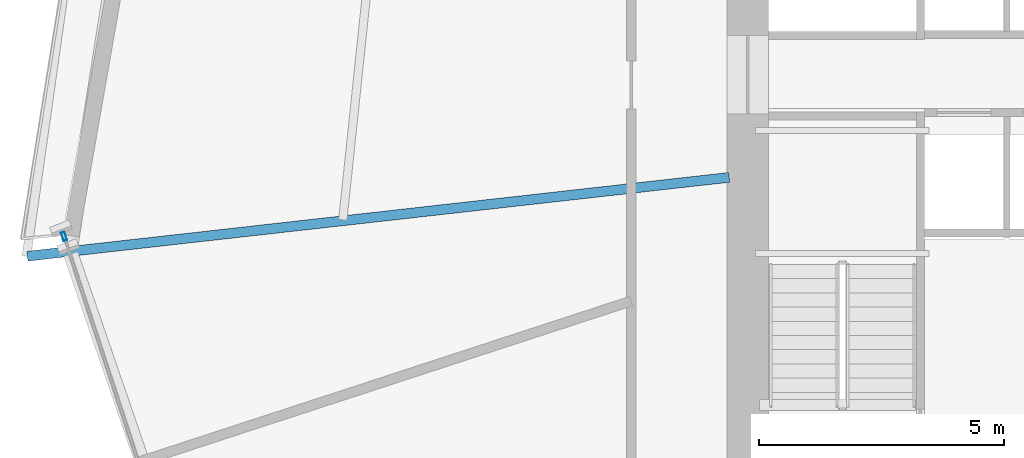
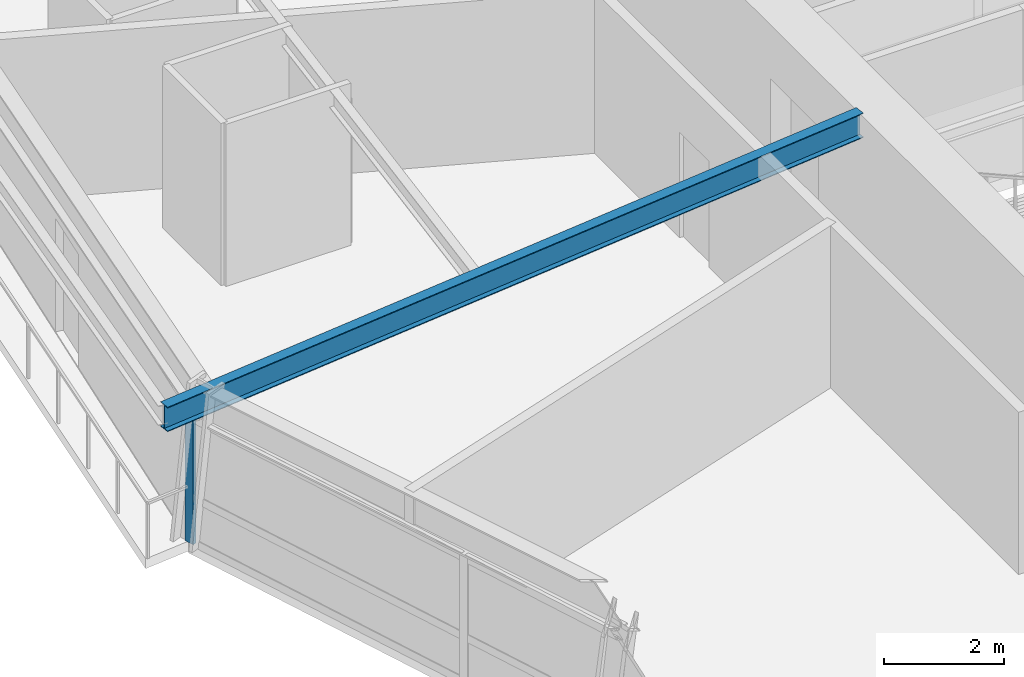
# One storey, part 6 of 22: 1 beam, 1 member, 1 element without a shape of its own.
"""IFC4 building model written with IfcOpenShell, lengths in metres."""

import ifcopenshell
import ifcopenshell.guid

model = None  # the IFC model being written
_history = None  # IfcOwnerHistory: only IFC2X3 demands one
_inside = {}  # id of a spatial element -> (the spatial element, [elements in it])
_under = {}  # id of a project, library or spatial element -> (it, [spatial elements below it])
_declared = {}  # id of a project -> (the project, [libraries it declares])
_typed = {}  # id of a type object -> (the type object, [elements of that type])
_made_of = {}  # id of a material, layer set ... -> (it, [elements and type objects made of it])


def new_model(schema):
    """Start an empty IFC model of exactly this schema.

    Asked for "IFC4X3", IfcOpenShell would pick the latest addendum, in which some entities
    have other attributes; the version numbers below select the first issue.
    IFC2X3 requires an IfcOwnerHistory on every rooted entity: one is made here for all.
    """
    global model, _history
    if schema == "IFC4X3":
        model = ifcopenshell.file(schema_version=(4, 3, 0, 0))
    else:
        model = ifcopenshell.file(schema=schema)
    _inside.clear()
    _under.clear()
    _declared.clear()
    _typed.clear()
    _made_of.clear()
    _history = None
    if model.schema == "IFC2X3":
        org = make("IfcOrganization", Name="unknown")
        user = make(
            "IfcPersonAndOrganization",
            ThePerson=make("IfcPerson", FamilyName="unknown"),
            TheOrganization=org,
        )
        app = make(
            "IfcApplication",
            ApplicationDeveloper=org,
            Version="unknown",
            ApplicationFullName="unknown",
            ApplicationIdentifier="unknown",
        )
        _history = make(
            "IfcOwnerHistory",
            OwningUser=user,
            OwningApplication=app,
            ChangeAction="ADDED",
            CreationDate=0,
        )
    return model


def make(cls, **values):
    """One entity of the class cls with the attributes given. An attribute that is None is left unset."""
    return model.create_entity(
        cls, **{name: value for name, value in values.items() if value is not None}
    )


def rooted(cls, **values):
    """An entity with a GlobalId (a new one), such as an element, a storey or a relation."""
    return make(cls, GlobalId=ifcopenshell.guid.new(), OwnerHistory=_history, **values)


def si_unit(unit_type, name, prefix=None):
    """IfcSIUnit, for example si_unit("LENGTHUNIT", "METRE", prefix="MILLI")."""
    return make("IfcSIUnit", UnitType=unit_type, Prefix=prefix, Name=name)


def assignment(units):
    """IfcUnitAssignment: the units of a project."""
    return None if units is None else make("IfcUnitAssignment", Units=units)


def point(xyz):
    """IfcCartesianPoint."""
    return None if xyz is None else make("IfcCartesianPoint", Coordinates=xyz)


def direction(xyz):
    """IfcDirection."""
    return None if xyz is None else make("IfcDirection", DirectionRatios=xyz)


def frame(location, z_axis=None, x_axis=None):
    """IfcAxis2Placement3D, a coordinate frame: its origin and axes. An axis left out is left unset."""
    return make(
        "IfcAxis2Placement3D",
        Location=point(location),
        Axis=direction(z_axis),
        RefDirection=direction(x_axis),
    )


def frame_2d(location, x_axis=None):
    """IfcAxis2Placement2D, a coordinate frame in the plane: its origin and x axis."""
    return make(
        "IfcAxis2Placement2D", Location=point(location), RefDirection=direction(x_axis)
    )


def origin():
    """The frame at (0, 0, 0) with its axes left unset."""
    return frame((0.0, 0.0, 0.0))


def origin_2d():
    """The frame at (0, 0) in the plane with its x axis left unset."""
    return frame_2d((0.0, 0.0))


def place(relative_to, where):
    """IfcLocalPlacement: puts the frame where relative to a parent placement (None: the world)."""
    return make(
        "IfcLocalPlacement", PlacementRelTo=relative_to, RelativePlacement=where
    )


def context(
    kind, dimensions, precision=None, world=None, true_north=None, identifier=None
):
    """IfcGeometricRepresentationContext, for example the 3D "Model" context."""
    return make(
        "IfcGeometricRepresentationContext",
        ContextIdentifier=identifier,
        ContextType=kind,
        CoordinateSpaceDimension=dimensions,
        Precision=precision,
        WorldCoordinateSystem=world,
        TrueNorth=true_north,
    )


def subcontext(parent, identifier, kind, view, scale=None):
    """IfcGeometricRepresentationSubContext, for example "Body" below "Model"."""
    return make(
        "IfcGeometricRepresentationSubContext",
        ContextIdentifier=identifier,
        ContextType=kind,
        ParentContext=parent,
        TargetScale=scale,
        TargetView=view,
    )


def project(units=None, contexts=None):
    """IfcProject with its units and contexts."""
    return rooted(
        "IfcProject",
        Name="project",
        RepresentationContexts=contexts,
        UnitsInContext=assignment(units),
    )


def spatial(cls, under=None, at=None, **own):
    """A site, building, storey or space (cls), placed at a placement, below another one or the project."""
    s = rooted(cls, ObjectPlacement=at, **own)
    if under is not None:
        _under.setdefault(under.id(), (under, []))[1].append(s)
    return s


def profile(cls, at=None, kind="AREA", **sizes):
    """A parametric profile (cls). Its sizes go by their IFC names, for example OverallWidth=200.0."""
    return make(cls, ProfileType=kind, Position=at, **sizes)


def hollow_rectangle(**sizes):
    """IfcRectangleHollowProfileDef."""
    return profile("IfcRectangleHollowProfileDef", **sizes)


def i_section(**sizes):
    """IfcIShapeProfileDef."""
    return profile("IfcIShapeProfileDef", **sizes)


def extrude(swept, where, along, depth):
    """IfcExtrudedAreaSolid: the profile swept, set in the frame where, extruded along a direction by depth."""
    return make(
        "IfcExtrudedAreaSolid",
        SweptArea=swept,
        Position=where,
        ExtrudedDirection=direction(along),
        Depth=depth,
    )


def shape(context_of_items, identifier, shape_type, items):
    """IfcShapeRepresentation: the items that make up one representation, for example the "Body"."""
    return make(
        "IfcShapeRepresentation",
        ContextOfItems=context_of_items,
        RepresentationIdentifier=identifier,
        RepresentationType=shape_type,
        Items=items,
    )


def source(mapping_origin, context_of_items, identifier, shape_type, items):
    """IfcRepresentationMap: a shape defined once, which mapped items show again and again."""
    return make(
        "IfcRepresentationMap",
        MappingOrigin=mapping_origin,
        MappedRepresentation=shape(context_of_items, identifier, shape_type, items),
    )


def transform(
    local_origin,
    x_axis=None,
    y_axis=None,
    z_axis=None,
    scale=None,
    scale2=None,
    scale3=None,
    uniform=True,
):
    """IfcCartesianTransformationOperator3D, or its non-uniform kind. x_axis, y_axis, z_axis: its Axis1, 2, 3."""
    if uniform:
        return make(
            "IfcCartesianTransformationOperator3D",
            Axis1=direction(x_axis),
            Axis2=direction(y_axis),
            LocalOrigin=point(local_origin),
            Scale=scale,
            Axis3=direction(z_axis),
        )
    return make(
        "IfcCartesianTransformationOperator3DnonUniform",
        Axis1=direction(x_axis),
        Axis2=direction(y_axis),
        LocalOrigin=point(local_origin),
        Scale=scale,
        Axis3=direction(z_axis),
        Scale2=scale2,
        Scale3=scale3,
    )


def mapped(mapping_source, mapping_target):
    """IfcMappedItem: shows the shape of a source again, moved by a transform."""
    return make(
        "IfcMappedItem", MappingSource=mapping_source, MappingTarget=mapping_target
    )


def material(Name=None, Category=None):
    """IfcMaterial."""
    return make("IfcMaterial", Name=Name, Category=Category)


def material_profile(
    of_material, cross_section, Name=None, Category=None, Priority=None
):
    """IfcMaterialProfile: a cross section and its material."""
    return make(
        "IfcMaterialProfile",
        Name=Name,
        Material=of_material,
        Profile=cross_section,
        Priority=Priority,
        Category=Category,
    )


def profile_set(profiles, Name=None, composite=None):
    """IfcMaterialProfileSet."""
    return make(
        "IfcMaterialProfileSet",
        Name=Name,
        MaterialProfiles=profiles,
        CompositeProfile=composite,
    )


def made_of(thing, what):
    """Note that an element or type object is made of a material, layer set ...; save() writes the relation."""
    if what is not None:
        _made_of.setdefault(what.id(), (what, []))[1].append(thing)
    return thing


def type_object(cls, material=None, **own):
    """A type object (cls), such as IfcWallType, which elements share."""
    return made_of(rooted(cls, **own), material)


def element(
    cls,
    number,
    at=None,
    inside=None,
    cuts=None,
    type_object=None,
    material=None,
    context=None,
    identifier="Body",
    shape_type=None,
    held_by="IfcProductDefinitionShape",
    body=None,
    shapes=None,
    **own,
):
    """One element of the class cls, such as IfcWall. Its Tag is "e" and its number.

    at: its placement. inside: the storey or other place that contains it. cuts: it is an
    opening in that element (IfcRelVoidsElement). A single representation is given by context,
    identifier, shape_type and body (its items); several are given by shapes. held_by: the class
    of the entity that holds the representations. save() writes the other relations.
    """
    e = rooted(cls, Tag="e%d" % number, ObjectPlacement=at, **own)
    if body is not None:
        shapes = [shape(context, identifier, shape_type, body)]
    if shapes is not None:
        e.Representation = make(held_by, Representations=shapes)
    if inside is not None:
        _inside.setdefault(inside.id(), (inside, []))[1].append(e)
    if cuts is not None:
        rooted(
            "IfcRelVoidsElement", RelatingBuildingElement=cuts, RelatedOpeningElement=e
        )
    if type_object is not None:
        _typed.setdefault(type_object.id(), (type_object, []))[1].append(e)
    return made_of(e, material)


def aggregate(whole, parts):
    """IfcRelAggregates: a whole, such as a stair, and the parts it consists of."""
    return rooted("IfcRelAggregates", RelatingObject=whole, RelatedObjects=parts)


def save(model, path):
    """Write the relations noted so far, then the file.

    IfcRelAggregates (storeys below a building ...), IfcRelContainedInSpatialStructure (elements
    in a storey), IfcRelDefinesByType, IfcRelAssociatesMaterial and IfcRelDeclares: one each for
    every whole, place, type object, material and project.
    """
    for whole, parts in _under.values():
        aggregate(whole, parts)
    for where, things in _inside.values():
        rooted(
            "IfcRelContainedInSpatialStructure",
            RelatedElements=things,
            RelatingStructure=where,
        )
    for kind, things in _typed.values():
        rooted("IfcRelDefinesByType", RelatedObjects=things, RelatingType=kind)
    for what, things in _made_of.values():
        rooted("IfcRelAssociatesMaterial", RelatedObjects=things, RelatingMaterial=what)
    for by, libraries in _declared.values():
        rooted("IfcRelDeclares", RelatingContext=by, RelatedDefinitions=libraries)
    model.write(path)


model = new_model("IFC4")

# Units and contexts
model_context = context("Model", 3, precision=1e-05, world=origin(), true_north=direction((0.0, 1.0)))
body_context = subcontext(model_context, "Body", "Model", "MODEL_VIEW")
ifc_project = project(units=[si_unit("LENGTHUNIT", "METRE"), si_unit("AREAUNIT", "SQUARE_METRE"), si_unit("VOLUMEUNIT", "CUBIC_METRE"), si_unit("PLANEANGLEUNIT", "RADIAN"), si_unit("MASSUNIT", "GRAM", prefix="KILO")], contexts=[model_context])

# Site, building, storey
site_placement = place(None, origin())
site = spatial("IfcSite", under=ifc_project, at=site_placement, CompositionType="ELEMENT")
building_placement = place(site_placement, origin())
building = spatial("IfcBuilding", under=site, at=building_placement, Name="Olszyna Solenne Hotel", CompositionType="ELEMENT")
storey_placement = place(building_placement, frame((0.0, 0.0, 57.699951171875)))
storey = spatial("IfcBuildingStorey", under=building, at=storey_placement, Name="L14", CompositionType="ELEMENT", Elevation=57.699951171875)

# Beam
ifc_material_1 = material(Name="Steel S355J2", Category="steel")
ifc_material_profile_1 = material_profile(ifc_material_1, i_section(OverallWidth=0.199951171875, OverallDepth=0.5, WebThickness=0.01025390625, FlangeThickness=0.01611328125, at=origin_2d()), Name="IPE 500", Category="load-bearing")
ifc_profile_set_1 = profile_set([ifc_material_profile_1], Name="Steel S355J2")
beam_type = type_object("IfcBeamType", Name="BM-F3", PredefinedType="BEAM", material=ifc_profile_set_1)
shared_shape_1 = source(origin(), body_context, "Body", "SweptSolid", [
    extrude(i_section(OverallWidth=0.199951171875, OverallDepth=0.5, WebThickness=0.01025390625, FlangeThickness=0.01611328125, at=origin_2d()), origin(), (0.0, 0.0, 1.0), 14.406982421875),
])
beam_placement = place(storey_placement, frame((14.98291015625, 24.017822265625, 3.050048828125), z_axis=(0.993750551058, 0.111623663583, 0.0), x_axis=(-0.111623663583, 0.993750551058, 0.0)))
element("IfcBeam", 1, at=beam_placement, inside=storey, type_object=beam_type, Name="Radial floor girder BM-F3 B-L14-0453", PredefinedType="BEAM", context=body_context, shape_type="MappedRepresentation", body=[
    mapped(shared_shape_1, transform((0.0, 0.0, 0.0), x_axis=(1.0, 0.0, 0.0), y_axis=(0.0, 1.0, 0.0), z_axis=(0.0, 0.0, 1.0), scale=1.0)),
])

# Curtain wall, member
ifc_material_2 = material(Name="Anodised bronze aluminium", Category="aluminium")
curtain_wall_type = type_object("IfcCurtainWallType", Name="CW-SYS-2", PredefinedType="NOTDEFINED", material=ifc_material_2)
curtain_wall_placement = place(storey_placement, origin())
curtain_wall = element("IfcCurtainWall", 2, at=curtain_wall_placement, inside=storey, type_object=curtain_wall_type, Name="Unitised curtain wall CW-SYS-2 CW-L14-01", PredefinedType="NOTDEFINED")
ifc_material_profile_2 = material_profile(ifc_material_2, hollow_rectangle(XDim=0.074951171875, YDim=0.179931640625, WallThickness=0.00439453125, at=origin_2d()), Name="MULL 180x75x4.5", Category="load-bearing")
ifc_profile_set_2 = profile_set([ifc_material_profile_2], Name="Anodised bronze aluminium")
member_type = type_object("IfcMemberType", Name="CW-M2", PredefinedType="MULLION", material=ifc_profile_set_2)
shared_shape_2 = source(origin(), body_context, "Body", "SweptSolid", [
    extrude(hollow_rectangle(XDim=0.074951171875, YDim=0.179931640625, WallThickness=0.00439453125, at=origin_2d()), origin(), (0.0, 0.0, 1.0), 2.592041015625),
])
member_placement = place(storey_placement, frame((15.72900390625, 24.42431640625, 0.0), z_axis=(0.0, 0.0, 1.0), x_axis=(0.949869512592, 0.312646620081, 0.0)))
member = element("IfcMember", 3, at=member_placement, type_object=member_type, Name="Curtain-wall mullion CW-M2 CM-L14-01-01", PredefinedType="MULLION", context=body_context, shape_type="MappedRepresentation", body=[
    mapped(shared_shape_2, transform((0.0, 0.0, 0.0), x_axis=(1.0, 0.0, 0.0), y_axis=(0.0, 1.0, 0.0), z_axis=(0.0, 0.0, 1.0), scale=1.0)),
])
aggregate(curtain_wall, [member])

save(model, "model.ifc")
